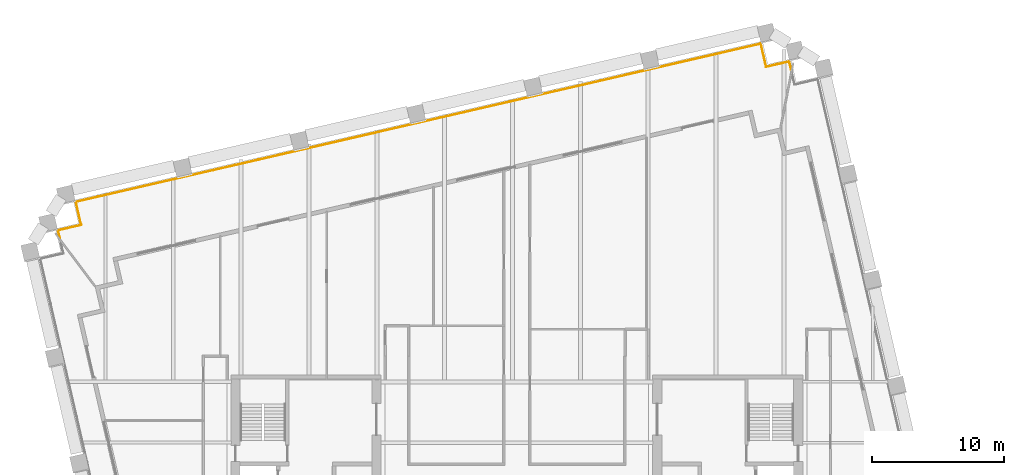
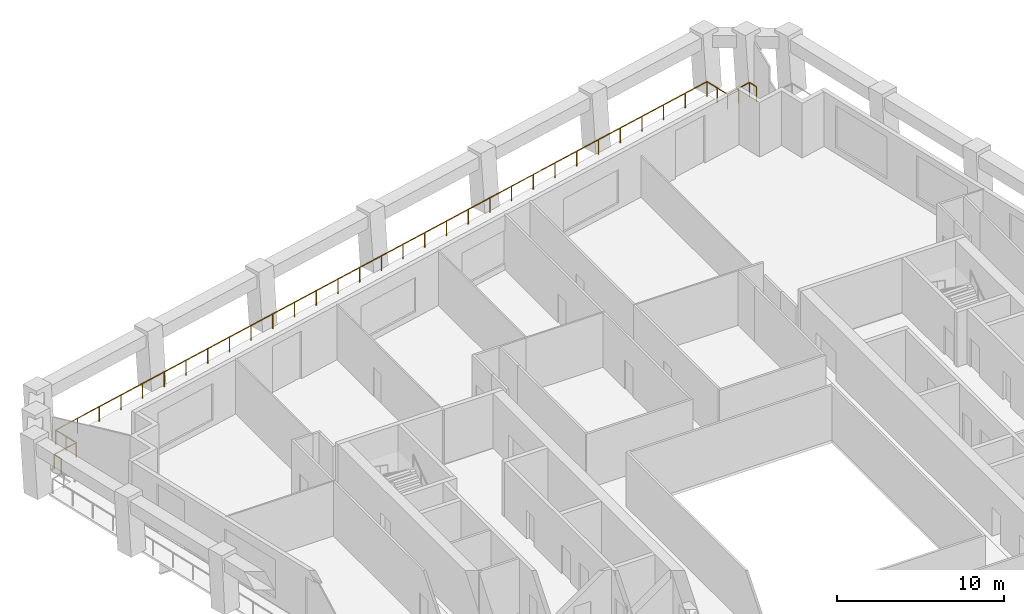
# One storey, part 10 of 10: 1 railing.
"""IFC4 building model written with IfcOpenShell, lengths in metres."""

from ifc_helpers import new_model, si_unit, direction, frame, origin, origin_2d, place, context, subcontext, project, spatial, circle, extrude, material, type_object, element, save


model = new_model("IFC4")

# Units and contexts
model_context = context("Model", 3, precision=1e-05, world=origin(), true_north=direction((0.0, 1.0)))
body_context = subcontext(model_context, "Body", "Model", "MODEL_VIEW")
ifc_project = project(units=[si_unit("LENGTHUNIT", "METRE"), si_unit("AREAUNIT", "SQUARE_METRE"), si_unit("VOLUMEUNIT", "CUBIC_METRE"), si_unit("PLANEANGLEUNIT", "RADIAN"), si_unit("MASSUNIT", "GRAM", prefix="KILO")], contexts=[model_context])

# Site, building, storey
site_placement = place(None, origin())
site = spatial("IfcSite", under=ifc_project, at=site_placement, CompositionType="ELEMENT")
building_placement = place(site_placement, origin())
building = spatial("IfcBuilding", under=site, at=building_placement, Name="Ogive Exchange Tower", CompositionType="ELEMENT")
storey_placement = place(building_placement, frame((0.0, 0.0, 201.0)))
storey = spatial("IfcBuildingStorey", under=building, at=storey_placement, Name="L44", CompositionType="ELEMENT", Elevation=201.0)

# Railing
ifc_material = material(Name="Stainless steel 316", Category="steel")
railing_type = type_object("IfcRailingType", Name="Guard 1100 stainless steel and glass", PredefinedType="GUARDRAIL", material=ifc_material)
railing_placement = place(storey_placement, frame((-34.688720703125, 36.1484375, -0.050048828125)))
element("IfcRailing", 1, at=railing_placement, inside=storey, type_object=railing_type, Name="Loggia guard 3", PredefinedType="GUARDRAIL", context=body_context, shape_type="SweptSolid", body=[
    extrude(circle(Radius=0.02392578125, at=origin_2d()), frame((0.0, 0.0, 1.076171875), z_axis=(-0.224859506699, 0.974391195695, 0.0), x_axis=(-0.974391195695, -0.224859506699, 0.0)), (0.0, 0.0, 1.0), 0.609130859375),
    extrude(circle(Radius=0.02392578125, at=origin_2d()), frame((-0.136962890625, 0.593505859375, 1.076171875), z_axis=(0.974350028141, 0.22503782496, 0.0), x_axis=(-0.22503782496, 0.974350028141, 0.0)), (0.0, 0.0, 1.0), 1.7998046875),
    extrude(circle(Radius=0.02392578125, at=origin_2d()), frame((1.61669921875, 0.99853515625, 1.076171875), z_axis=(-0.224879318197, 0.974386623598, 0.0), x_axis=(-0.974386623598, -0.224879318197, 0.0)), (0.0, 0.0, 1.0), 1.800048828125),
    extrude(circle(Radius=0.02392578125, at=origin_2d()), frame((1.2119140625, 2.75244140625, 1.076171875), z_axis=(0.974369753882, 0.224952401011, 0.0), x_axis=(-0.224952401011, 0.974369753882, 0.0)), (0.0, 0.0, 1.0), 53.35986328125),
    extrude(circle(Radius=0.02392578125, at=origin_2d()), frame((53.2041015625, 14.755859375, 1.076171875), z_axis=(0.225008086135, -0.974356896201, 0.0), x_axis=(0.974356896201, 0.225008086135, 0.0)), (0.0, 0.0, 1.0), 1.800048828125),
    extrude(circle(Radius=0.02392578125, at=origin_2d()), frame((53.609130859375, 13.001953125, 1.076171875), z_axis=(0.974386623598, 0.224879318197, 0.0), x_axis=(-0.224879318197, 0.974386623598, 0.0)), (0.0, 0.0, 1.0), 1.800048828125),
    extrude(circle(Radius=0.02392578125, at=origin_2d()), frame((55.363037109375, 13.40673828125, 1.076171875), z_axis=(0.224947360008, -0.974370917682, 0.0), x_axis=(0.974370917682, 0.224947360008, 0.0)), (0.0, 0.0, 1.0), 0.60888671875),
    extrude(circle(Radius=0.02099609375, at=origin_2d()), origin(), (0.0, 0.0, 1.0), 1.052001953125),
    extrude(circle(Radius=0.02099609375, at=origin_2d()), frame((-0.136962890625, 0.593505859375, 0.0)), (0.0, 0.0, 1.0), 1.052001953125),
    extrude(circle(Radius=0.02099609375, at=origin_2d()), frame((1.61669921875, 0.99853515625, 0.0)), (0.0, 0.0, 1.0), 1.052001953125),
    extrude(circle(Radius=0.02099609375, at=origin_2d()), frame((1.414306640625, 1.87548828125, 0.0)), (0.0, 0.0, 1.0), 1.052001953125),
    extrude(circle(Radius=0.02099609375, at=origin_2d()), frame((1.2119140625, 2.75244140625, 0.0)), (0.0, 0.0, 1.0), 1.052001953125),
    extrude(circle(Radius=0.02099609375, at=origin_2d()), frame((2.945068359375, 3.152587890625, 0.0)), (0.0, 0.0, 1.0), 1.052001953125),
    extrude(circle(Radius=0.02099609375, at=origin_2d()), frame((4.677978515625, 3.552734375, 0.0)), (0.0, 0.0, 1.0), 1.052001953125),
    extrude(circle(Radius=0.02099609375, at=origin_2d()), frame((6.4111328125, 3.952880859375, 0.0)), (0.0, 0.0, 1.0), 1.052001953125),
    extrude(circle(Radius=0.02099609375, at=origin_2d()), frame((8.144287109375, 4.352783203125, 0.0)), (0.0, 0.0, 1.0), 1.052001953125),
    extrude(circle(Radius=0.02099609375, at=origin_2d()), frame((9.877197265625, 4.7529296875, 0.0)), (0.0, 0.0, 1.0), 1.052001953125),
    extrude(circle(Radius=0.02099609375, at=origin_2d()), frame((11.6103515625, 5.153076171875, 0.0)), (0.0, 0.0, 1.0), 1.052001953125),
    extrude(circle(Radius=0.02099609375, at=origin_2d()), frame((13.343505859375, 5.55322265625, 0.0)), (0.0, 0.0, 1.0), 1.052001953125),
    extrude(circle(Radius=0.02099609375, at=origin_2d()), frame((15.076416015625, 5.953369140625, 0.0)), (0.0, 0.0, 1.0), 1.052001953125),
    extrude(circle(Radius=0.02099609375, at=origin_2d()), frame((16.8095703125, 6.353515625, 0.0)), (0.0, 0.0, 1.0), 1.052001953125),
    extrude(circle(Radius=0.02099609375, at=origin_2d()), frame((18.542724609375, 6.753662109375, 0.0)), (0.0, 0.0, 1.0), 1.052001953125),
    extrude(circle(Radius=0.02099609375, at=origin_2d()), frame((20.275634765625, 7.15380859375, 0.0)), (0.0, 0.0, 1.0), 1.052001953125),
    extrude(circle(Radius=0.02099609375, at=origin_2d()), frame((22.0087890625, 7.5537109375, 0.0)), (0.0, 0.0, 1.0), 1.052001953125),
    extrude(circle(Radius=0.02099609375, at=origin_2d()), frame((23.741943359375, 7.953857421875, 0.0)), (0.0, 0.0, 1.0), 1.052001953125),
    extrude(circle(Radius=0.02099609375, at=origin_2d()), frame((25.474853515625, 8.35400390625, 0.0)), (0.0, 0.0, 1.0), 1.052001953125),
    extrude(circle(Radius=0.02099609375, at=origin_2d()), frame((27.2080078125, 8.754150390625, 0.0)), (0.0, 0.0, 1.0), 1.052001953125),
    extrude(circle(Radius=0.02099609375, at=origin_2d()), frame((28.941162109375, 9.154296875, 0.0)), (0.0, 0.0, 1.0), 1.052001953125),
    extrude(circle(Radius=0.02099609375, at=origin_2d()), frame((30.674072265625, 9.554443359375, 0.0)), (0.0, 0.0, 1.0), 1.052001953125),
    extrude(circle(Radius=0.02099609375, at=origin_2d()), frame((32.4072265625, 9.95458984375, 0.0)), (0.0, 0.0, 1.0), 1.052001953125),
    extrude(circle(Radius=0.02099609375, at=origin_2d()), frame((34.140380859375, 10.3544921875, 0.0)), (0.0, 0.0, 1.0), 1.052001953125),
    extrude(circle(Radius=0.02099609375, at=origin_2d()), frame((35.873291015625, 10.754638671875, 0.0)), (0.0, 0.0, 1.0), 1.052001953125),
    extrude(circle(Radius=0.02099609375, at=origin_2d()), frame((37.6064453125, 11.15478515625, 0.0)), (0.0, 0.0, 1.0), 1.052001953125),
    extrude(circle(Radius=0.02099609375, at=origin_2d()), frame((39.339599609375, 11.554931640625, 0.0)), (0.0, 0.0, 1.0), 1.052001953125),
    extrude(circle(Radius=0.02099609375, at=origin_2d()), frame((41.072509765625, 11.955078125, 0.0)), (0.0, 0.0, 1.0), 1.052001953125),
    extrude(circle(Radius=0.02099609375, at=origin_2d()), frame((42.8056640625, 12.355224609375, 0.0)), (0.0, 0.0, 1.0), 1.052001953125),
    extrude(circle(Radius=0.02099609375, at=origin_2d()), frame((44.538818359375, 12.75537109375, 0.0)), (0.0, 0.0, 1.0), 1.052001953125),
    extrude(circle(Radius=0.02099609375, at=origin_2d()), frame((46.271728515625, 13.155517578125, 0.0)), (0.0, 0.0, 1.0), 1.052001953125),
    extrude(circle(Radius=0.02099609375, at=origin_2d()), frame((48.0048828125, 13.555419921875, 0.0)), (0.0, 0.0, 1.0), 1.052001953125),
    extrude(circle(Radius=0.02099609375, at=origin_2d()), frame((49.738037109375, 13.95556640625, 0.0)), (0.0, 0.0, 1.0), 1.052001953125),
    extrude(circle(Radius=0.02099609375, at=origin_2d()), frame((51.470947265625, 14.355712890625, 0.0)), (0.0, 0.0, 1.0), 1.052001953125),
    extrude(circle(Radius=0.02099609375, at=origin_2d()), frame((53.2041015625, 14.755859375, 0.0)), (0.0, 0.0, 1.0), 1.052001953125),
    extrude(circle(Radius=0.02099609375, at=origin_2d()), frame((53.40673828125, 13.87890625, 0.0)), (0.0, 0.0, 1.0), 1.052001953125),
    extrude(circle(Radius=0.02099609375, at=origin_2d()), frame((53.609130859375, 13.001953125, 0.0)), (0.0, 0.0, 1.0), 1.052001953125),
    extrude(circle(Radius=0.02099609375, at=origin_2d()), frame((54.486083984375, 13.204345703125, 0.0)), (0.0, 0.0, 1.0), 1.052001953125),
    extrude(circle(Radius=0.02099609375, at=origin_2d()), frame((55.363037109375, 13.40673828125, 0.0)), (0.0, 0.0, 1.0), 1.052001953125),
    extrude(circle(Radius=0.02099609375, at=origin_2d()), frame((55.5, 12.8134765625, 0.0)), (0.0, 0.0, 1.0), 1.052001953125),
])

save(model, "model.ifc")
